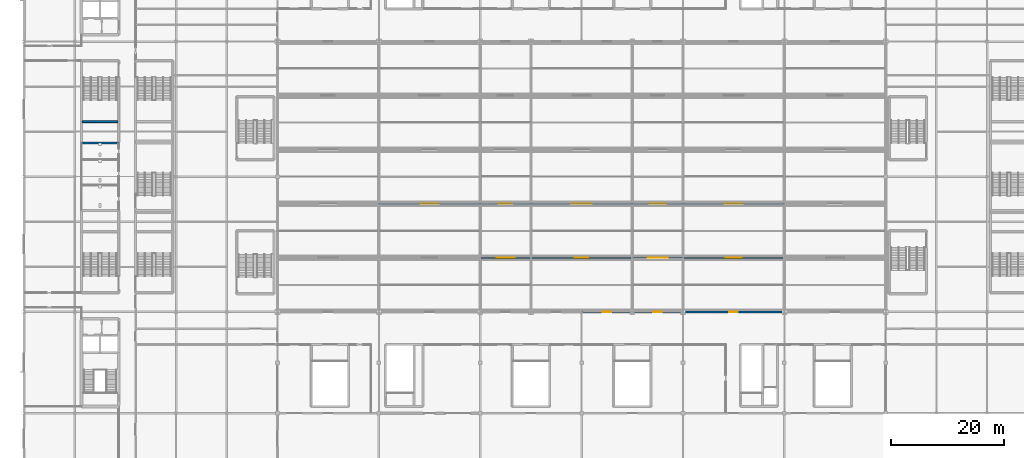
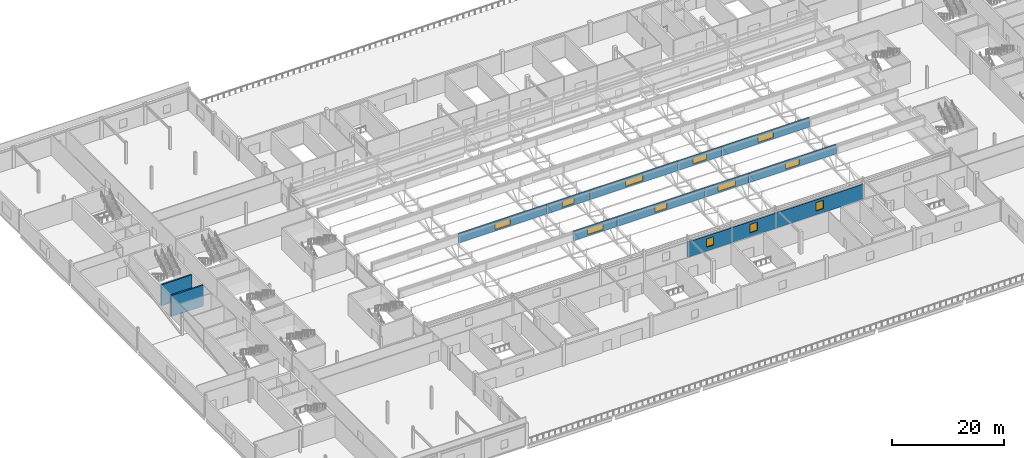
# One storey, part 98 of 136: 14 walls, 12 windows, 12 openings.
"""IFC4 building model written with IfcOpenShell, lengths in metres."""

from ifc_helpers import new_model, si_unit, direction, frame, frame_2d, origin, place, context, subcontext, project, spatial, rectangle, extrude, material, layer, layer_set, type_object, element, fill, save


model = new_model("IFC4")

# Units and contexts
model_context = context("Model", 3, precision=1e-05, world=origin(), true_north=direction((0.0, 1.0)))
body_context = subcontext(model_context, "Body", "Model", "MODEL_VIEW")
ifc_project = project(units=[si_unit("LENGTHUNIT", "METRE"), si_unit("AREAUNIT", "SQUARE_METRE"), si_unit("VOLUMEUNIT", "CUBIC_METRE"), si_unit("PLANEANGLEUNIT", "RADIAN"), si_unit("MASSUNIT", "GRAM", prefix="KILO")], contexts=[model_context])

# Site, building, storey
site_placement = place(None, origin())
site = spatial("IfcSite", under=ifc_project, at=site_placement, CompositionType="ELEMENT")
building_placement = place(site_placement, origin())
building = spatial("IfcBuilding", under=site, at=building_placement, Name="Kisiwana Market Hall", CompositionType="ELEMENT")
storey_placement = place(building_placement, frame((0.0, 0.0, 16.800048828125)))
storey = spatial("IfcBuildingStorey", under=building, at=storey_placement, Name="L03", CompositionType="ELEMENT", Elevation=16.800048828125)

# Walls
ifc_material_1 = material(Name="Concrete C40/50", Category="concrete")
ifc_layer_1 = layer(ifc_material_1, 0.320068359375, Name="Reinforced concrete shaft wall")
ifc_layer_set_1 = layer_set([ifc_layer_1], Name="WL-CORE-320")
wall_type_1 = type_object("IfcWallType", Name="WL-CORE-320", PredefinedType="SHEAR", material=ifc_layer_set_1)
wall_1_placement = place(storey_placement, frame((10.199951171875, 66.0, 0.0), z_axis=(0.0, 0.0, 1.0), x_axis=(1.0, 0.0, 0.0)))
element("IfcWall", 1, at=wall_1_placement, inside=storey, type_object=wall_type_1, Name="Core W4 south shear wall W-1247", PredefinedType="SHEAR", context=body_context, shape_type="SweptSolid", body=[
    extrude(rectangle(XDim=6.60009765625, YDim=0.320068359375, at=frame_2d((3.300048828125, 0.0))), origin(), (0.0, 0.0, 1.0), 4.554931640625),
])
wall_2_placement = place(storey_placement, frame((10.360107421875, 69.780029296875, 0.0), z_axis=(0.0, 0.0, 1.0), x_axis=(1.0, 0.0, 0.0)))
element("IfcWall", 2, at=wall_2_placement, inside=storey, type_object=wall_type_1, Name="Core W4 riser divider shear wall W-1251", PredefinedType="SHEAR", context=body_context, shape_type="SweptSolid", body=[
    extrude(rectangle(XDim=6.27978515625, YDim=0.320068359375, at=frame_2d((3.139892578125, 0.0))), origin(), (0.0, 0.0, 1.0), 4.554931640625),
])

# Wall, opening, window
ifc_material_2 = material(Name="Aluminium alloy 6063-T6", Category="aluminium")
ifc_layer_2 = layer(ifc_material_2, 0.06005859375, Name="Insulated metal-clad clerestory wall")
ifc_material_3 = material(Name="Mineral wool insulation")
ifc_layer_3 = layer(ifc_material_3, 0.10009765625, Name="Mineral wool core")
ifc_material_4 = material(Name="Masonry blockwork", Category="masonry")
ifc_layer_4 = layer(ifc_material_4, 0.10009765625, Name="Masonry backing")
ifc_layer_set_2 = layer_set([ifc_layer_2, ifc_layer_3, ifc_layer_4], Name="WL-EXT-CLER-260")
wall_type_2 = type_object("IfcWallType", Name="WL-EXT-CLER-260", PredefinedType="STANDARD", material=ifc_layer_set_2)
wall_3_placement = place(storey_placement, frame((81.0, 45.60009765625, 4.0048828125), z_axis=(0.0, 0.0, 1.0), x_axis=(1.0, 0.0, 0.0)))
wall_3 = element("IfcWall", 3, at=wall_3_placement, inside=storey, type_object=wall_type_2, Name="Sawtooth clerestory wall W-1412", PredefinedType="STANDARD", context=body_context, shape_type="SweptSolid", body=[
    extrude(rectangle(XDim=9.0, YDim=0.260009765625, at=frame_2d((4.5, 0.0))), origin(), (0.0, 0.0, 1.0), 2.049072265625),
])
opening_1_placement = place(wall_3_placement, frame((2.89990234375, 0.0, 0.320068359375)))
opening_1 = element("IfcOpeningElement", 4, at=opening_1_placement, cuts=wall_3, Name="Opening W-41", PredefinedType="OPENING", context=body_context, shape_type="SweptSolid", body=[
    extrude(rectangle(XDim=3.199951171875, YDim=1.35009765625, at=frame_2d((1.60009765625, 0.675048828125))), frame((0.0, 0.14208984375, 0.0), z_axis=(0.0, -1.0, 0.0), x_axis=(1.0, 0.0, 0.0)), (0.0, 0.0, 1.0), 0.283935546875),
])
ifc_material_5 = material(Name="Double-glazed solar-control low-E IGU", Category="glass")
window_type_1 = type_object("IfcWindowType", Name="WN-CLER-3200x1400", PartitioningType="SINGLE_PANEL", PredefinedType="SKYLIGHT", material=ifc_material_5)
window_1_placement = place(opening_1_placement, origin())
window_1 = element("IfcWindow", 5, at=window_1_placement, inside=storey, type_object=window_type_1, Name="North-light sawtooth clerestory WN-049", OverallHeight=1.35009765625, OverallWidth=3.199951171875, PartitioningType="SINGLE_PANEL", PredefinedType="SKYLIGHT", context=body_context, shape_type="SweptSolid", body=[
    extrude(rectangle(XDim=3.199951171875, YDim=1.35009765625, at=frame_2d((1.60009765625, 0.675048828125))), frame((0.0, 0.030029296875, 0.0), z_axis=(0.0, -1.0, 0.0), x_axis=(1.0, 0.0, 0.0)), (0.0, 0.0, 1.0), 0.06005859375),
])
fill(opening_1, window_1)

wall_4_placement = place(storey_placement, frame((90.0, 45.60009765625, 4.0048828125), z_axis=(0.0, 0.0, 1.0), x_axis=(1.0, 0.0, 0.0)))
wall_4 = element("IfcWall", 6, at=wall_4_placement, inside=storey, type_object=wall_type_2, Name="Sawtooth clerestory wall W-1413", PredefinedType="STANDARD", context=body_context, shape_type="SweptSolid", body=[
    extrude(rectangle(XDim=18.0, YDim=0.260009765625, at=frame_2d((9.0, 0.0))), origin(), (0.0, 0.0, 1.0), 2.049072265625),
])
opening_2_placement = place(wall_4_placement, frame((7.800048828125, 0.0, 0.320068359375)))
opening_2 = element("IfcOpeningElement", 7, at=opening_2_placement, cuts=wall_4, Name="Opening W-42", PredefinedType="OPENING", context=body_context, shape_type="SweptSolid", body=[
    extrude(rectangle(XDim=2.39990234375, YDim=1.35009765625, at=frame_2d((1.199951171875, 0.675048828125))), frame((0.0, 0.14208984375, 0.0), z_axis=(0.0, -1.0, 0.0), x_axis=(1.0, 0.0, 0.0)), (0.0, 0.0, 1.0), 0.283935546875),
])
ifc_material_6 = material(Name="Double-glazed solar-control low-E IGU", Category="glass")
window_type_2 = type_object("IfcWindowType", Name="WN-CLER-2400x1400", PartitioningType="SINGLE_PANEL", PredefinedType="SKYLIGHT", material=ifc_material_6)
window_2_placement = place(opening_2_placement, origin())
window_2 = element("IfcWindow", 8, at=window_2_placement, inside=storey, type_object=window_type_2, Name="North-light sawtooth clerestory WN-056", OverallHeight=1.35009765625, OverallWidth=2.39990234375, PartitioningType="SINGLE_PANEL", PredefinedType="SKYLIGHT", context=body_context, shape_type="SweptSolid", body=[
    extrude(rectangle(XDim=2.39990234375, YDim=1.35009765625, at=frame_2d((1.199951171875, 0.675048828125))), frame((0.0, 0.030029296875, 0.0), z_axis=(0.0, -1.0, 0.0), x_axis=(1.0, 0.0, 0.0)), (0.0, 0.0, 1.0), 0.06005859375),
])
fill(opening_2, window_2)

wall_5_placement = place(storey_placement, frame((108.0, 45.60009765625, 4.0048828125), z_axis=(0.0, 0.0, 1.0), x_axis=(1.0, 0.0, 0.0)))
wall_5 = element("IfcWall", 9, at=wall_5_placement, inside=storey, type_object=wall_type_2, Name="Sawtooth clerestory wall W-1414", PredefinedType="STANDARD", context=body_context, shape_type="SweptSolid", body=[
    extrude(rectangle(XDim=9.0, YDim=0.260009765625, at=frame_2d((4.5, 0.0))), origin(), (0.0, 0.0, 1.0), 2.049072265625),
])
opening_3_placement = place(wall_5_placement, frame((2.699951171875, 0.0, 0.320068359375)))
opening_3 = element("IfcOpeningElement", 10, at=opening_3_placement, cuts=wall_5, Name="Opening WN-09", PredefinedType="OPENING", context=body_context, shape_type="SweptSolid", body=[
    extrude(rectangle(XDim=3.60009765625, YDim=1.35009765625, at=frame_2d((1.800048828125, 0.675048828125))), frame((0.0, 0.14208984375, 0.0), z_axis=(0.0, -1.0, 0.0), x_axis=(1.0, 0.0, 0.0)), (0.0, 0.0, 1.0), 0.283935546875),
])
ifc_material_7 = material(Name="Double-glazed solar-control low-E IGU", Category="glass")
window_type_3 = type_object("IfcWindowType", Name="WN-CLER-3600x1500", PartitioningType="SINGLE_PANEL", PredefinedType="SKYLIGHT", material=ifc_material_7)
window_3_placement = place(opening_3_placement, origin())
window_3 = element("IfcWindow", 11, at=window_3_placement, inside=storey, type_object=window_type_3, Name="North-light sawtooth clerestory WN-064", OverallHeight=1.35009765625, OverallWidth=3.60009765625, PartitioningType="SINGLE_PANEL", PredefinedType="SKYLIGHT", context=body_context, shape_type="SweptSolid", body=[
    extrude(rectangle(XDim=3.60009765625, YDim=1.35009765625, at=frame_2d((1.800048828125, 0.675048828125))), frame((0.0, 0.030029296875, 0.0), z_axis=(0.0, -1.0, 0.0), x_axis=(1.0, 0.0, 0.0)), (0.0, 0.0, 1.0), 0.06005859375),
])
fill(opening_3, window_3)

wall_6_placement = place(storey_placement, frame((117.0, 45.60009765625, 4.0048828125), z_axis=(0.0, 0.0, 1.0), x_axis=(1.0, 0.0, 0.0)))
wall_6 = element("IfcWall", 12, at=wall_6_placement, inside=storey, type_object=wall_type_2, Name="Sawtooth clerestory wall W-1415", PredefinedType="STANDARD", context=body_context, shape_type="SweptSolid", body=[
    extrude(rectangle(XDim=18.0, YDim=0.260009765625, at=frame_2d((9.0, 0.0))), origin(), (0.0, 0.0, 1.0), 2.049072265625),
])
opening_4_placement = place(wall_6_placement, frame((7.60009765625, 0.0, 0.320068359375)))
opening_4 = element("IfcOpeningElement", 13, at=opening_4_placement, cuts=wall_6, Name="Opening WN-26", PredefinedType="OPENING", context=body_context, shape_type="SweptSolid", body=[
    extrude(rectangle(XDim=2.800048828125, YDim=1.35009765625, at=frame_2d((1.39990234375, 0.675048828125))), frame((0.0, 0.14208984375, 0.0), z_axis=(0.0, -1.0, 0.0), x_axis=(1.0, 0.0, 0.0)), (0.0, 0.0, 1.0), 0.283935546875),
])
ifc_material_8 = material(Name="Double-glazed solar-control low-E IGU", Category="glass")
window_type_4 = type_object("IfcWindowType", Name="WN-CLER-2800x1500", PartitioningType="SINGLE_PANEL", PredefinedType="SKYLIGHT", material=ifc_material_8)
window_4_placement = place(opening_4_placement, origin())
window_4 = element("IfcWindow", 14, at=window_4_placement, inside=storey, type_object=window_type_4, Name="North-light sawtooth clerestory WN-137", OverallHeight=1.35009765625, OverallWidth=2.800048828125, PartitioningType="SINGLE_PANEL", PredefinedType="SKYLIGHT", context=body_context, shape_type="SweptSolid", body=[
    extrude(rectangle(XDim=2.800048828125, YDim=1.35009765625, at=frame_2d((1.39990234375, 0.675048828125))), frame((0.0, 0.030029296875, 0.0), z_axis=(0.0, -1.0, 0.0), x_axis=(1.0, 0.0, 0.0)), (0.0, 0.0, 1.0), 0.06005859375),
])
fill(opening_4, window_4)

wall_7_placement = place(storey_placement, frame((63.0, 55.199951171875, 4.0048828125), z_axis=(0.0, 0.0, 1.0), x_axis=(1.0, 0.0, 0.0)))
wall_7 = element("IfcWall", 15, at=wall_7_placement, inside=storey, type_object=wall_type_2, Name="Sawtooth clerestory wall W-1418", PredefinedType="STANDARD", context=body_context, shape_type="SweptSolid", body=[
    extrude(rectangle(XDim=18.0, YDim=0.260009765625, at=frame_2d((9.0, 0.0))), origin(), (0.0, 0.0, 1.0), 2.049072265625),
])
opening_5_placement = place(wall_7_placement, frame((7.39990234375, 0.0, 0.320068359375)))
opening_5 = element("IfcOpeningElement", 16, at=opening_5_placement, cuts=wall_7, Name="Opening W-41", PredefinedType="OPENING", context=body_context, shape_type="SweptSolid", body=[
    extrude(rectangle(XDim=3.199951171875, YDim=1.35009765625, at=frame_2d((1.60009765625, 0.675048828125))), frame((0.0, 0.14208984375, 0.0), z_axis=(0.0, -1.0, 0.0), x_axis=(1.0, 0.0, 0.0)), (0.0, 0.0, 1.0), 0.283935546875),
])
window_5_placement = place(opening_5_placement, origin())
window_5 = element("IfcWindow", 17, at=window_5_placement, inside=storey, type_object=window_type_1, Name="North-light sawtooth clerestory WN-051", OverallHeight=1.35009765625, OverallWidth=3.199951171875, PartitioningType="SINGLE_PANEL", PredefinedType="SKYLIGHT", context=body_context, shape_type="SweptSolid", body=[
    extrude(rectangle(XDim=3.199951171875, YDim=1.35009765625, at=frame_2d((1.60009765625, 0.675048828125))), frame((0.0, 0.030029296875, 0.0), z_axis=(0.0, -1.0, 0.0), x_axis=(1.0, 0.0, 0.0)), (0.0, 0.0, 1.0), 0.06005859375),
])
fill(opening_5, window_5)

wall_8_placement = place(storey_placement, frame((81.0, 55.199951171875, 4.0048828125), z_axis=(0.0, 0.0, 1.0), x_axis=(1.0, 0.0, 0.0)))
wall_8 = element("IfcWall", 18, at=wall_8_placement, inside=storey, type_object=wall_type_2, Name="Sawtooth clerestory wall W-1419", PredefinedType="STANDARD", context=body_context, shape_type="SweptSolid", body=[
    extrude(rectangle(XDim=9.0, YDim=0.260009765625, at=frame_2d((4.5, 0.0))), origin(), (0.0, 0.0, 1.0), 2.049072265625),
])
opening_6_placement = place(wall_8_placement, frame((3.300048828125, 0.0, 0.320068359375)))
opening_6 = element("IfcOpeningElement", 19, at=opening_6_placement, cuts=wall_8, Name="Opening W-42", PredefinedType="OPENING", context=body_context, shape_type="SweptSolid", body=[
    extrude(rectangle(XDim=2.39990234375, YDim=1.35009765625, at=frame_2d((1.199951171875, 0.675048828125))), frame((0.0, 0.14208984375, 0.0), z_axis=(0.0, -1.0, 0.0), x_axis=(1.0, 0.0, 0.0)), (0.0, 0.0, 1.0), 0.283935546875),
])
window_6_placement = place(opening_6_placement, origin())
window_6 = element("IfcWindow", 20, at=window_6_placement, inside=storey, type_object=window_type_2, Name="North-light sawtooth clerestory WN-057", OverallHeight=1.35009765625, OverallWidth=2.39990234375, PartitioningType="SINGLE_PANEL", PredefinedType="SKYLIGHT", context=body_context, shape_type="SweptSolid", body=[
    extrude(rectangle(XDim=2.39990234375, YDim=1.35009765625, at=frame_2d((1.199951171875, 0.675048828125))), frame((0.0, 0.030029296875, 0.0), z_axis=(0.0, -1.0, 0.0), x_axis=(1.0, 0.0, 0.0)), (0.0, 0.0, 1.0), 0.06005859375),
])
fill(opening_6, window_6)

wall_9_placement = place(storey_placement, frame((90.0, 55.199951171875, 4.0048828125), z_axis=(0.0, 0.0, 1.0), x_axis=(1.0, 0.0, 0.0)))
wall_9 = element("IfcWall", 21, at=wall_9_placement, inside=storey, type_object=wall_type_2, Name="Sawtooth clerestory wall W-1420", PredefinedType="STANDARD", context=body_context, shape_type="SweptSolid", body=[
    extrude(rectangle(XDim=18.0, YDim=0.260009765625, at=frame_2d((9.0, 0.0))), origin(), (0.0, 0.0, 1.0), 2.049072265625),
])
opening_7_placement = place(wall_9_placement, frame((7.199951171875, 0.0, 0.320068359375)))
opening_7 = element("IfcOpeningElement", 22, at=opening_7_placement, cuts=wall_9, Name="Opening WN-09", PredefinedType="OPENING", context=body_context, shape_type="SweptSolid", body=[
    extrude(rectangle(XDim=3.60009765625, YDim=1.35009765625, at=frame_2d((1.800048828125, 0.675048828125))), frame((0.0, 0.14208984375, 0.0), z_axis=(0.0, -1.0, 0.0), x_axis=(1.0, 0.0, 0.0)), (0.0, 0.0, 1.0), 0.283935546875),
])
window_7_placement = place(opening_7_placement, origin())
window_7 = element("IfcWindow", 23, at=window_7_placement, inside=storey, type_object=window_type_3, Name="North-light sawtooth clerestory WN-065", OverallHeight=1.35009765625, OverallWidth=3.60009765625, PartitioningType="SINGLE_PANEL", PredefinedType="SKYLIGHT", context=body_context, shape_type="SweptSolid", body=[
    extrude(rectangle(XDim=3.60009765625, YDim=1.35009765625, at=frame_2d((1.800048828125, 0.675048828125))), frame((0.0, 0.030029296875, 0.0), z_axis=(0.0, -1.0, 0.0), x_axis=(1.0, 0.0, 0.0)), (0.0, 0.0, 1.0), 0.06005859375),
])
fill(opening_7, window_7)

wall_10_placement = place(storey_placement, frame((108.0, 55.199951171875, 4.0048828125), z_axis=(0.0, 0.0, 1.0), x_axis=(1.0, 0.0, 0.0)))
wall_10 = element("IfcWall", 24, at=wall_10_placement, inside=storey, type_object=wall_type_2, Name="Sawtooth clerestory wall W-1421", PredefinedType="STANDARD", context=body_context, shape_type="SweptSolid", body=[
    extrude(rectangle(XDim=9.0, YDim=0.260009765625, at=frame_2d((4.5, 0.0))), origin(), (0.0, 0.0, 1.0), 2.049072265625),
])
opening_8_placement = place(wall_10_placement, frame((3.10009765625, 0.0, 0.320068359375)))
opening_8 = element("IfcOpeningElement", 25, at=opening_8_placement, cuts=wall_10, Name="Opening WN-26", PredefinedType="OPENING", context=body_context, shape_type="SweptSolid", body=[
    extrude(rectangle(XDim=2.800048828125, YDim=1.35009765625, at=frame_2d((1.39990234375, 0.675048828125))), frame((0.0, 0.14208984375, 0.0), z_axis=(0.0, -1.0, 0.0), x_axis=(1.0, 0.0, 0.0)), (0.0, 0.0, 1.0), 0.283935546875),
])
window_8_placement = place(opening_8_placement, origin())
window_8 = element("IfcWindow", 26, at=window_8_placement, inside=storey, type_object=window_type_4, Name="North-light sawtooth clerestory WN-139", OverallHeight=1.35009765625, OverallWidth=2.800048828125, PartitioningType="SINGLE_PANEL", PredefinedType="SKYLIGHT", context=body_context, shape_type="SweptSolid", body=[
    extrude(rectangle(XDim=2.800048828125, YDim=1.35009765625, at=frame_2d((1.39990234375, 0.675048828125))), frame((0.0, 0.030029296875, 0.0), z_axis=(0.0, -1.0, 0.0), x_axis=(1.0, 0.0, 0.0)), (0.0, 0.0, 1.0), 0.06005859375),
])
fill(opening_8, window_8)

wall_11_placement = place(storey_placement, frame((117.0, 55.199951171875, 4.0048828125), z_axis=(0.0, 0.0, 1.0), x_axis=(1.0, 0.0, 0.0)))
wall_11 = element("IfcWall", 27, at=wall_11_placement, inside=storey, type_object=wall_type_2, Name="Sawtooth clerestory wall W-1422", PredefinedType="STANDARD", context=body_context, shape_type="SweptSolid", body=[
    extrude(rectangle(XDim=18.0, YDim=0.260009765625, at=frame_2d((9.0, 0.0))), origin(), (0.0, 0.0, 1.0), 2.049072265625),
])
opening_9_placement = place(wall_11_placement, frame((7.39990234375, 0.0, 0.320068359375)))
opening_9 = element("IfcOpeningElement", 28, at=opening_9_placement, cuts=wall_11, Name="Opening W-41", PredefinedType="OPENING", context=body_context, shape_type="SweptSolid", body=[
    extrude(rectangle(XDim=3.199951171875, YDim=1.35009765625, at=frame_2d((1.60009765625, 0.675048828125))), frame((0.0, 0.14208984375, 0.0), z_axis=(0.0, -1.0, 0.0), x_axis=(1.0, 0.0, 0.0)), (0.0, 0.0, 1.0), 0.283935546875),
])
window_9_placement = place(opening_9_placement, origin())
window_9 = element("IfcWindow", 29, at=window_9_placement, inside=storey, type_object=window_type_1, Name="North-light sawtooth clerestory WN-052", OverallHeight=1.35009765625, OverallWidth=3.199951171875, PartitioningType="SINGLE_PANEL", PredefinedType="SKYLIGHT", context=body_context, shape_type="SweptSolid", body=[
    extrude(rectangle(XDim=3.199951171875, YDim=1.35009765625, at=frame_2d((1.60009765625, 0.675048828125))), frame((0.0, 0.030029296875, 0.0), z_axis=(0.0, -1.0, 0.0), x_axis=(1.0, 0.0, 0.0)), (0.0, 0.0, 1.0), 0.06005859375),
])
fill(opening_9, window_9)

ifc_material_9 = material(Name="Concrete C40/50 precast", Category="concrete")
ifc_layer_5 = layer(ifc_material_9, 0.14990234375, Name="Precast architectural concrete spandrel")
ifc_material_10 = material(Name="Mineral wool insulation")
ifc_layer_6 = layer(ifc_material_10, 0.090087890625, Name="Rockwool thermal insulation")
ifc_material_11 = material(Name="Masonry blockwork", Category="masonry")
ifc_layer_7 = layer(ifc_material_11, 0.10009765625, Name="Inner masonry block leaf")
ifc_layer_set_3 = layer_set([ifc_layer_5, ifc_layer_6, ifc_layer_7], Name="WL-EXT-PREC-340")
wall_type_3 = type_object("IfcWallType", Name="WL-EXT-PREC-340", PredefinedType="STANDARD", material=ifc_layer_set_3)
wall_12_placement = place(storey_placement, frame((99.010009765625, 36.0, 0.0), z_axis=(0.0, 0.0, 1.0), x_axis=(1.0, 0.0, 0.0)))
wall_12 = element("IfcWall", 30, at=wall_12_placement, inside=storey, type_object=wall_type_3, Name="Exterior wall W-1356", PredefinedType="STANDARD", context=body_context, shape_type="SweptSolid", body=[
    extrude(rectangle(XDim=8.97998046875, YDim=0.340087890625, at=frame_2d((4.489990234375, 0.0))), origin(), (0.0, 0.0, 1.0), 3.27685546875),
])
opening_10_placement = place(wall_12_placement, frame((3.739990234375, 0.0, 0.85009765625)))
opening_10 = element("IfcOpeningElement", 31, at=opening_10_placement, cuts=wall_12, Name="Opening WN-14", PredefinedType="OPENING", context=body_context, shape_type="SweptSolid", body=[
    extrude(rectangle(XDim=1.5, YDim=1.800048828125, at=frame_2d((0.75, 0.89990234375))), frame((0.0, 0.18212890625, 0.0), z_axis=(0.0, -1.0, 0.0), x_axis=(1.0, 0.0, 0.0)), (0.0, 0.0, 1.0), 0.364013671875),
])
ifc_material_12 = material(Name="Double-glazed solar-control low-E IGU", Category="glass")
window_type_5 = type_object("IfcWindowType", Name="WN-POD-1500x1800", PartitioningType="SINGLE_PANEL", PredefinedType="WINDOW", material=ifc_material_12)
window_10_placement = place(opening_10_placement, origin())
window_10 = element("IfcWindow", 32, at=window_10_placement, inside=storey, type_object=window_type_5, Name="Exterior window WN-087", OverallHeight=1.800048828125, OverallWidth=1.5, PartitioningType="SINGLE_PANEL", PredefinedType="WINDOW", context=body_context, shape_type="SweptSolid", body=[
    extrude(rectangle(XDim=1.5, YDim=1.800048828125, at=frame_2d((0.75, 0.89990234375))), frame((0.0, 0.030029296875, 0.0), z_axis=(0.0, -1.0, 0.0), x_axis=(1.0, 0.0, 0.0)), (0.0, 0.0, 1.0), 0.06005859375),
])
fill(opening_10, window_10)

wall_13_placement = place(storey_placement, frame((108.010009765625, 36.0, 0.0), z_axis=(0.0, 0.0, 1.0), x_axis=(1.0, 0.0, 0.0)))
wall_13 = element("IfcWall", 33, at=wall_13_placement, inside=storey, type_object=wall_type_3, Name="Exterior wall W-1357", PredefinedType="STANDARD", context=body_context, shape_type="SweptSolid", body=[
    extrude(rectangle(XDim=8.97998046875, YDim=0.340087890625, at=frame_2d((4.489990234375, 0.0))), origin(), (0.0, 0.0, 1.0), 3.27685546875),
])
opening_11_placement = place(wall_13_placement, frame((3.739990234375, 0.0, 0.85009765625)))
opening_11 = element("IfcOpeningElement", 34, at=opening_11_placement, cuts=wall_13, Name="Opening WN-14", PredefinedType="OPENING", context=body_context, shape_type="SweptSolid", body=[
    extrude(rectangle(XDim=1.5, YDim=1.800048828125, at=frame_2d((0.75, 0.89990234375))), frame((0.0, 0.18212890625, 0.0), z_axis=(0.0, -1.0, 0.0), x_axis=(1.0, 0.0, 0.0)), (0.0, 0.0, 1.0), 0.364013671875),
])
window_11_placement = place(opening_11_placement, origin())
window_11 = element("IfcWindow", 35, at=window_11_placement, inside=storey, type_object=window_type_5, Name="Exterior window WN-088", OverallHeight=1.800048828125, OverallWidth=1.5, PartitioningType="SINGLE_PANEL", PredefinedType="WINDOW", context=body_context, shape_type="SweptSolid", body=[
    extrude(rectangle(XDim=1.5, YDim=1.800048828125, at=frame_2d((0.75, 0.89990234375))), frame((0.0, 0.030029296875, 0.0), z_axis=(0.0, -1.0, 0.0), x_axis=(1.0, 0.0, 0.0)), (0.0, 0.0, 1.0), 0.06005859375),
])
fill(opening_11, window_11)

wall_14_placement = place(storey_placement, frame((117.010009765625, 36.0, 0.0), z_axis=(0.0, 0.0, 1.0), x_axis=(1.0, 0.0, 0.0)))
wall_14 = element("IfcWall", 36, at=wall_14_placement, inside=storey, type_object=wall_type_3, Name="Exterior wall W-1358", PredefinedType="STANDARD", context=body_context, shape_type="SweptSolid", body=[
    extrude(rectangle(XDim=17.97998046875, YDim=0.340087890625, at=frame_2d((8.989990234375, 0.0))), origin(), (0.0, 0.0, 1.0), 3.27685546875),
])
opening_12_placement = place(wall_14_placement, frame((8.239990234375, 0.0, 0.85009765625)))
opening_12 = element("IfcOpeningElement", 37, at=opening_12_placement, cuts=wall_14, Name="Opening WN-14", PredefinedType="OPENING", context=body_context, shape_type="SweptSolid", body=[
    extrude(rectangle(XDim=1.5, YDim=1.800048828125, at=frame_2d((0.75, 0.89990234375))), frame((0.0, 0.18212890625, 0.0), z_axis=(0.0, -1.0, 0.0), x_axis=(1.0, 0.0, 0.0)), (0.0, 0.0, 1.0), 0.364013671875),
])
window_12_placement = place(opening_12_placement, origin())
window_12 = element("IfcWindow", 38, at=window_12_placement, inside=storey, type_object=window_type_5, Name="Exterior window WN-089", OverallHeight=1.800048828125, OverallWidth=1.5, PartitioningType="SINGLE_PANEL", PredefinedType="WINDOW", context=body_context, shape_type="SweptSolid", body=[
    extrude(rectangle(XDim=1.5, YDim=1.800048828125, at=frame_2d((0.75, 0.89990234375))), frame((0.0, 0.030029296875, 0.0), z_axis=(0.0, -1.0, 0.0), x_axis=(1.0, 0.0, 0.0)), (0.0, 0.0, 1.0), 0.06005859375),
])
fill(opening_12, window_12)

save(model, "model.ifc")
